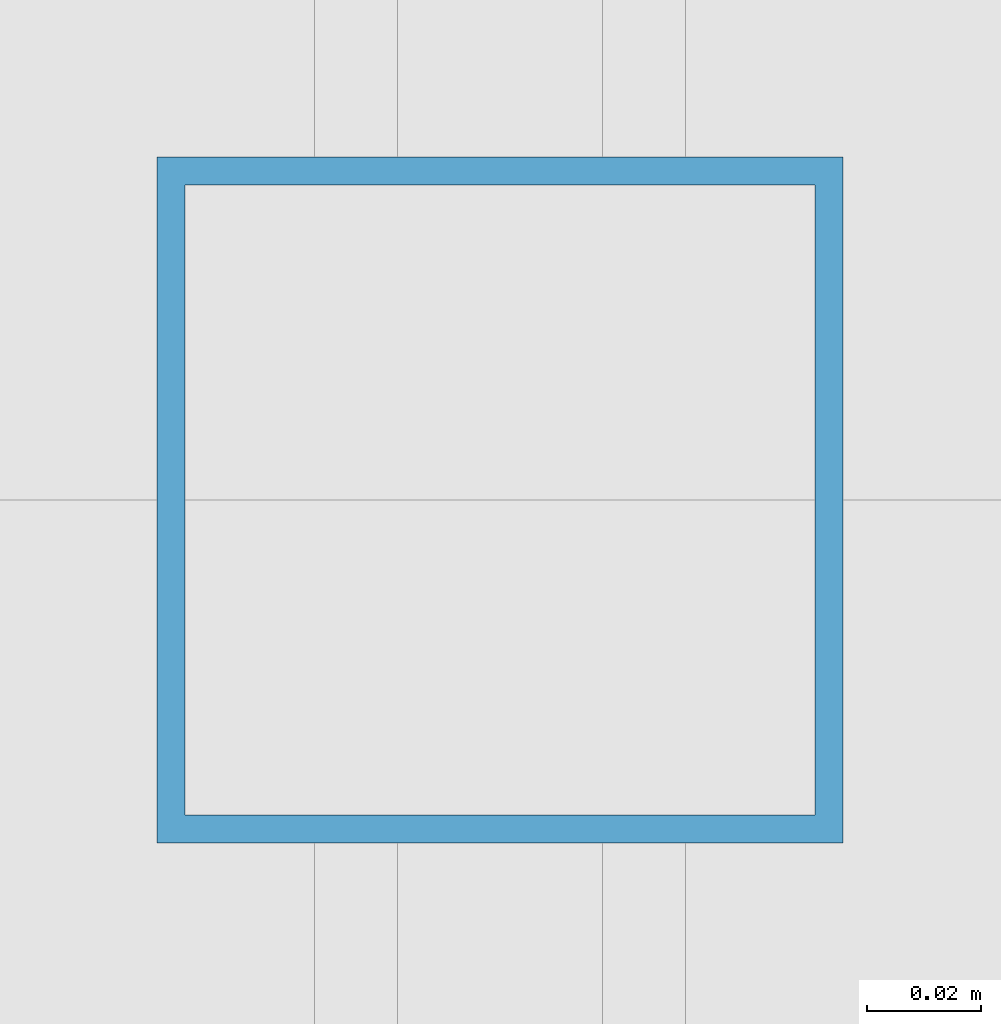
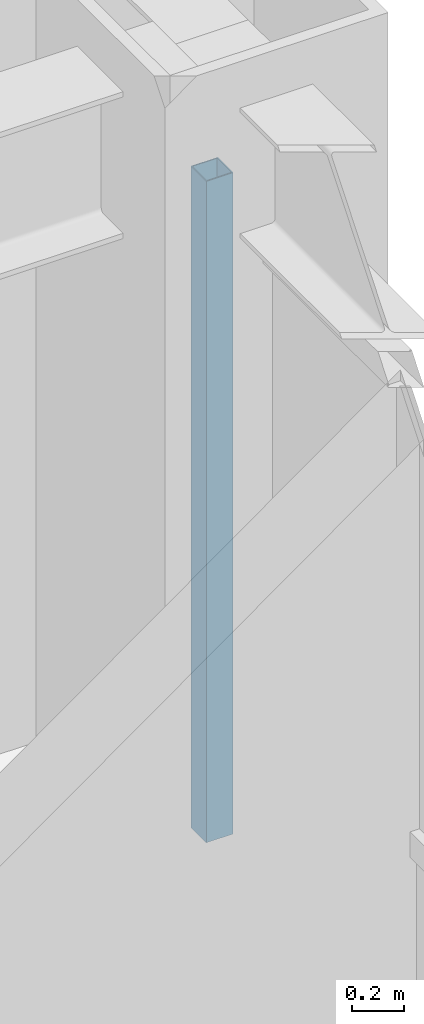
# One storey, part 10 of 29: 1 member, 1 element without a shape of its own.
"""IFC4 building model written with IfcOpenShell, lengths in metres."""

from ifc_helpers import new_model, si_unit, direction, frame, origin, origin_2d, place, context, subcontext, project, spatial, hollow_rectangle, extrude, source, transform, mapped, material, material_profile, profile_set, type_object, element, aggregate, save


model = new_model("IFC4")

# Units and contexts
model_context = context("Model", 3, precision=1e-05, world=origin(), true_north=direction((0.0, 1.0)))
body_context = subcontext(model_context, "Body", "Model", "MODEL_VIEW")
ifc_project = project(units=[si_unit("LENGTHUNIT", "METRE"), si_unit("AREAUNIT", "SQUARE_METRE"), si_unit("VOLUMEUNIT", "CUBIC_METRE"), si_unit("PLANEANGLEUNIT", "RADIAN"), si_unit("MASSUNIT", "GRAM", prefix="KILO")], contexts=[model_context])

# Site, building, storey
site_placement = place(None, origin())
site = spatial("IfcSite", under=ifc_project, at=site_placement, CompositionType="ELEMENT")
building_placement = place(site_placement, origin())
building = spatial("IfcBuilding", under=site, at=building_placement, Name="Khorayat Bourse Tower", CompositionType="ELEMENT")
storey_placement = place(building_placement, frame((0.0, 0.0, 239.10009765625)))
storey = spatial("IfcBuildingStorey", under=building, at=storey_placement, Name="L56", CompositionType="ELEMENT", Elevation=239.10009765625)

# Curtain wall, member
ifc_material = material(Name="Aluminium EN AW-6063 T6", Category="aluminium")
curtain_wall_type = type_object("IfcCurtainWallType", Name="CW-SYS-03", PredefinedType="NOTDEFINED", material=ifc_material)
curtain_wall_placement = place(storey_placement, origin())
curtain_wall = element("IfcCurtainWall", 1, at=curtain_wall_placement, inside=storey, type_object=curtain_wall_type, Name="L56 Curtain Wall CW-L56-E1", PredefinedType="NOTDEFINED")
ifc_material_profile = material_profile(ifc_material, hollow_rectangle(XDim=0.1201171875, YDim=0.1201171875, WallThickness=0.0048828125, at=origin_2d()), Name="ALU 120x120x5")
ifc_profile_set = profile_set([ifc_material_profile], Name="Aluminium EN AW-6063 T6")
member_type = type_object("IfcMemberType", Name="CWM-VERT-120", PredefinedType="MULLION", material=ifc_profile_set)
shared_shape = source(origin(), body_context, "Body", "SweptSolid", [
    extrude(hollow_rectangle(XDim=0.1201171875, YDim=0.1201171875, WallThickness=0.0048828125, at=origin_2d()), origin(), (0.0, 0.0, 1.0), 3.1298828125),
])
member_placement = place(storey_placement, frame((30.0, 0.0, 0.0), z_axis=(0.0, 0.0, 1.0), x_axis=(-1.0, 0.0, 0.0)))
member = element("IfcMember", 2, at=member_placement, type_object=member_type, Name="CW-L56-E1 Vertical Mullion 2", PredefinedType="MULLION", context=body_context, shape_type="MappedRepresentation", body=[
    mapped(shared_shape, transform((0.0, 0.0, 0.0), scale=1.0)),
])
aggregate(curtain_wall, [member])

save(model, "model.ifc")
